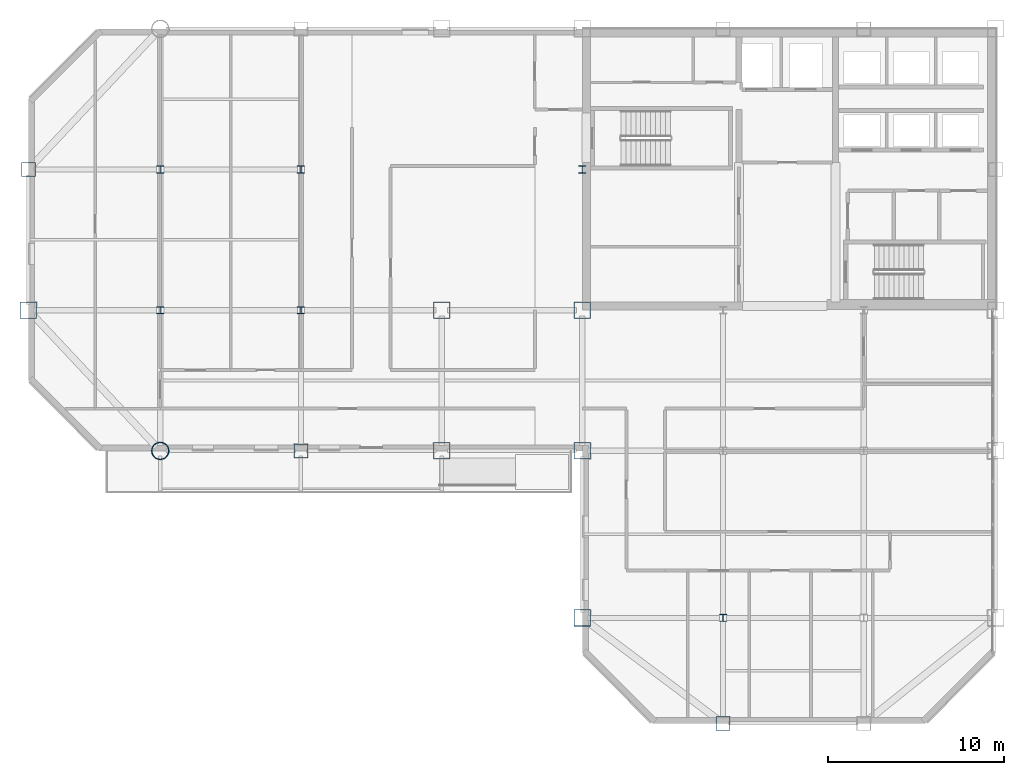
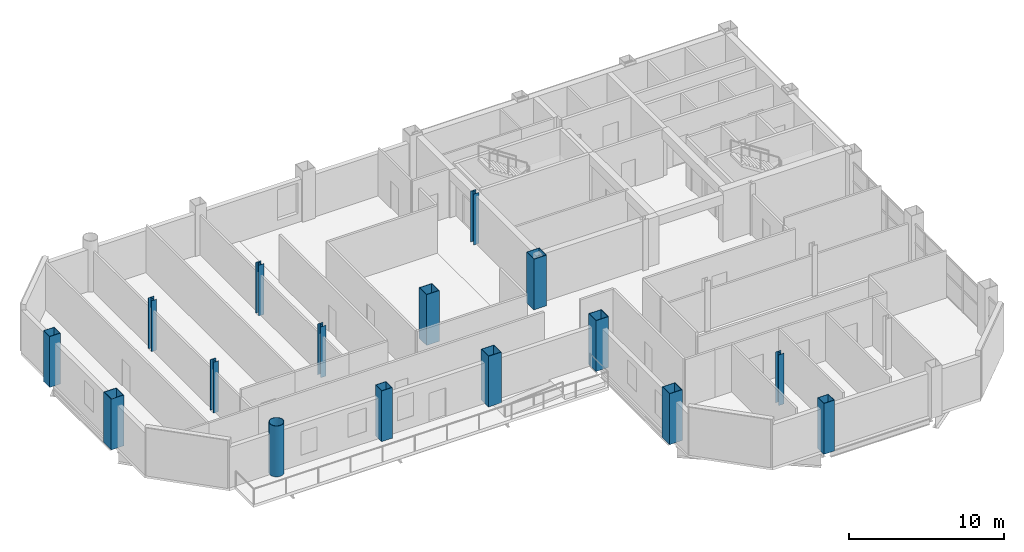
# One storey, part 1 of 14: 16 columns.
"""IFC4 building model written with IfcOpenShell, lengths in metres."""

from ifc_helpers import new_model, si_unit, direction, frame, origin, origin_2d, place, context, subcontext, project, spatial, hollow_rectangle, hollow_circle, i_section, extrude, material, material_profile, profile_set, type_object, element, save


model = new_model("IFC4")

# Units and contexts
model_context = context("Model", 3, precision=1e-05, world=origin(), true_north=direction((0.0, 1.0)))
body_context = subcontext(model_context, "Body", "Model", "MODEL_VIEW")
ifc_project = project(units=[si_unit("LENGTHUNIT", "METRE"), si_unit("AREAUNIT", "SQUARE_METRE"), si_unit("VOLUMEUNIT", "CUBIC_METRE"), si_unit("PLANEANGLEUNIT", "RADIAN"), si_unit("MASSUNIT", "GRAM", prefix="KILO")], contexts=[model_context])

# Site, building, storey
site_placement = place(None, origin())
site = spatial("IfcSite", under=ifc_project, at=site_placement, CompositionType="ELEMENT")
building_placement = place(site_placement, origin())
building = spatial("IfcBuilding", under=site, at=building_placement, Name="Qianrong Seaharbour Tower", CompositionType="ELEMENT")
storey_placement = place(building_placement, frame((0.0, 0.0, 209.800048828125)))
storey = spatial("IfcBuildingStorey", under=building, at=storey_placement, Name="L50", CompositionType="ELEMENT", Elevation=209.800048828125)

# Columns
ifc_material = material(Name="Structural steel SN490B", Category="steel")
ifc_material_profile_1 = material_profile(ifc_material, hollow_rectangle(XDim=0.949951171875, YDim=0.949951171875, WallThickness=0.035888671875, at=origin_2d()), Name="BOX950x950x36")
ifc_profile_set_1 = profile_set([ifc_material_profile_1], Name="Structural steel SN490B")
column_type_1 = type_object("IfcColumnType", Name="COL-CFT-950", PredefinedType="COLUMN", material=ifc_profile_set_1)
for number, where, z_axis, x_axis, name in (
    (1, (9.0, 36.0, 0.0), (0.0, 0.0, 1.0), (1.0, 0.0, 0.0), "L50 Column MC-4 at G2/GF"),
    (2, (32.5, 28.0, 0.0), (0.0, 0.0, 1.0), (1.0, 0.0, 0.0), "L50 Column MC-4 at G5/GE"),
    (3, (32.5, 36.0, 0.0), (0.0, 0.0, 1.0), (1.0, 0.0, 0.0), "L50 Column MC-4 at G5/GF"),
    (4, (40.5, 18.5, 0.0), (0.0, 0.0, 1.0), (1.0, 0.0, 0.0), "L50 Column MC-4 at G6/GD"),
    (5, (40.5, 28.0, 0.0), (0.0, 0.0, 1.0), (1.0, 0.0, 0.0), "L50 Column MC-4 at G6/GE"),
    (6, (40.5, 36.0, 0.0), (0.0, 0.0, 1.0), (1.0, 0.0, 0.0), "L50 Column MC-4 at G6/GF"),
):
    element("IfcColumn", number, at=place(storey_placement, frame(where, z_axis=z_axis, x_axis=x_axis)), inside=storey, type_object=column_type_1, Name=name, PredefinedType="COLUMN", context=body_context, shape_type="SweptSolid", body=[
        extrude(hollow_rectangle(XDim=0.949951171875, YDim=0.949951171875, WallThickness=0.035888671875, at=origin_2d()), origin(), (0.0, 0.0, 1.0), 4.0),
    ])
ifc_material_profile_2 = material_profile(ifc_material, hollow_circle(Radius=0.5, WallThickness=0.035888671875, at=origin_2d()), Name="CHS1000x36")
ifc_profile_set_2 = profile_set([ifc_material_profile_2], Name="Structural steel SN490B")
column_type_2 = type_object("IfcColumnType", Name="COL-CHS-1000", PredefinedType="COLUMN", material=ifc_profile_set_2)
column_placement = place(storey_placement, frame((16.5, 28.0, 0.0), z_axis=(0.0, 0.0, 1.0), x_axis=(1.0, 0.0, 0.0)))
element("IfcColumn", 7, at=column_placement, inside=storey, type_object=column_type_2, Name="L50 Column CC-2 at G3/GE", PredefinedType="COLUMN", context=body_context, shape_type="SweptSolid", body=[
    extrude(hollow_circle(Radius=0.5, WallThickness=0.035888671875, at=origin_2d()), origin(), (0.0, 0.0, 1.0), 4.0),
])
ifc_material_profile_3 = material_profile(ifc_material, i_section(OverallWidth=0.39990234375, OverallDepth=0.39990234375, WebThickness=0.012939453125, FlangeThickness=0.02099609375, FilletRadius=0.02197265625, at=origin_2d()), Name="H400x400x13x21")
ifc_profile_set_3 = profile_set([ifc_material_profile_3], Name="Structural steel SN490B")
column_type_3 = type_object("IfcColumnType", Name="COL-INT-H400", PredefinedType="COLUMN", material=ifc_profile_set_3)
for number, where, z_axis, x_axis, name in (
    (8, (16.5, 36.0, 0.0), (0.0, 0.0, 1.0), (1.0, 0.0, 0.0), "L50 Column IC-3 at G3/GF"),
    (9, (16.5, 44.0, 0.0), (0.0, 0.0, 1.0), (1.0, 0.0, 0.0), "L50 Column IC-3 at G3/GG"),
    (10, (24.5, 36.0, 0.0), (0.0, 0.0, 1.0), (1.0, 0.0, 0.0), "L50 Column IC-3 at G4/GF"),
    (11, (24.5, 44.0, 0.0), (0.0, 0.0, 1.0), (1.0, 0.0, 0.0), "L50 Column IC-3 at G4/GG"),
    (12, (40.5, 44.0, 0.0), (0.0, 0.0, 1.0), (1.0, 0.0, 0.0), "L50 Column IC-3 at G6/GG"),
    (13, (48.5, 18.5, 0.0), (0.0, 0.0, 1.0), (1.0, 0.0, 0.0), "L50 Column IC-3 at G7/GD"),
):
    element("IfcColumn", number, at=place(storey_placement, frame(where, z_axis=z_axis, x_axis=x_axis)), inside=storey, type_object=column_type_3, Name=name, PredefinedType="COLUMN", context=body_context, shape_type="SweptSolid", body=[
        extrude(i_section(OverallWidth=0.39990234375, OverallDepth=0.39990234375, WebThickness=0.012939453125, FlangeThickness=0.02099609375, FilletRadius=0.02197265625, at=origin_2d()), origin(), (0.0, 0.0, 1.0), 4.0),
    ])
ifc_material_profile_4 = material_profile(ifc_material, hollow_rectangle(XDim=0.800048828125, YDim=0.800048828125, WallThickness=0.031982421875, at=origin_2d()), Name="BOX800x800x32")
ifc_profile_set_4 = profile_set([ifc_material_profile_4], Name="Structural steel SN490B")
column_type_4 = type_object("IfcColumnType", Name="COL-PER-800", PredefinedType="COLUMN", material=ifc_profile_set_4)
for number, where, z_axis, x_axis, name in (
    (14, (9.0, 44.0, 0.0), (0.0, 0.0, 1.0), (1.0, 0.0, 0.0), "L50 Column PC-3 at G2/GG"),
    (15, (24.5, 28.0, 0.0), (0.0, 0.0, 1.0), (1.0, 0.0, 0.0), "L50 Column PC-3 at G4/GE"),
    (16, (48.5, 12.5, 0.0), (0.0, 0.0, 1.0), (1.0, 0.0, 0.0), "L50 Column PC-3 at G7/GC"),
):
    element("IfcColumn", number, at=place(storey_placement, frame(where, z_axis=z_axis, x_axis=x_axis)), inside=storey, type_object=column_type_4, Name=name, PredefinedType="COLUMN", context=body_context, shape_type="SweptSolid", body=[
        extrude(hollow_rectangle(XDim=0.800048828125, YDim=0.800048828125, WallThickness=0.031982421875, at=origin_2d()), origin(), (0.0, 0.0, 1.0), 4.0),
    ])

save(model, "model.ifc")
